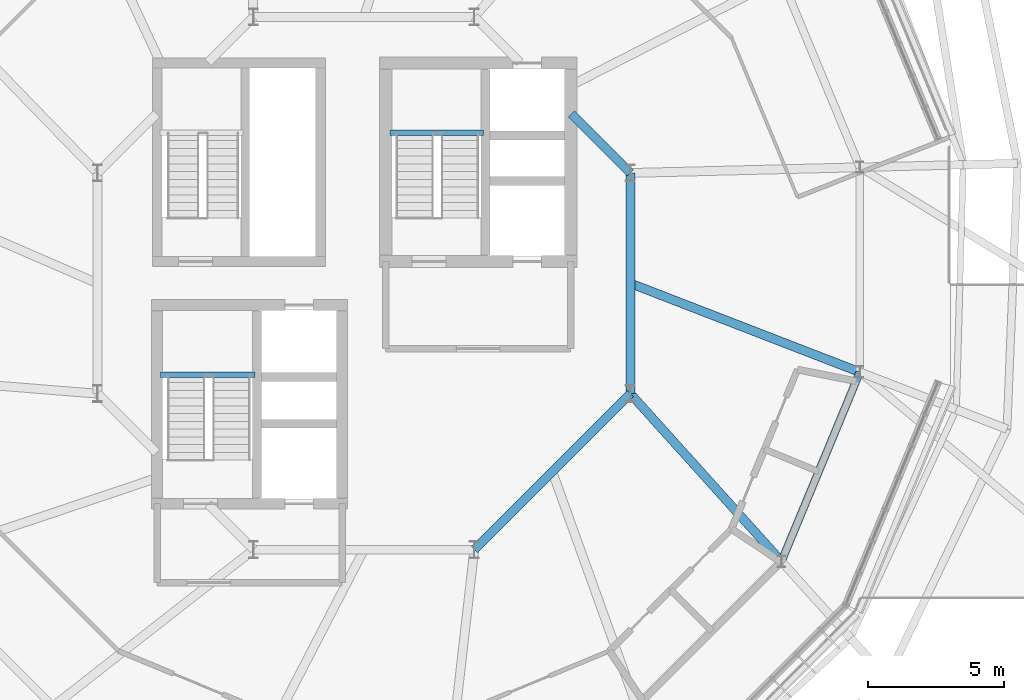
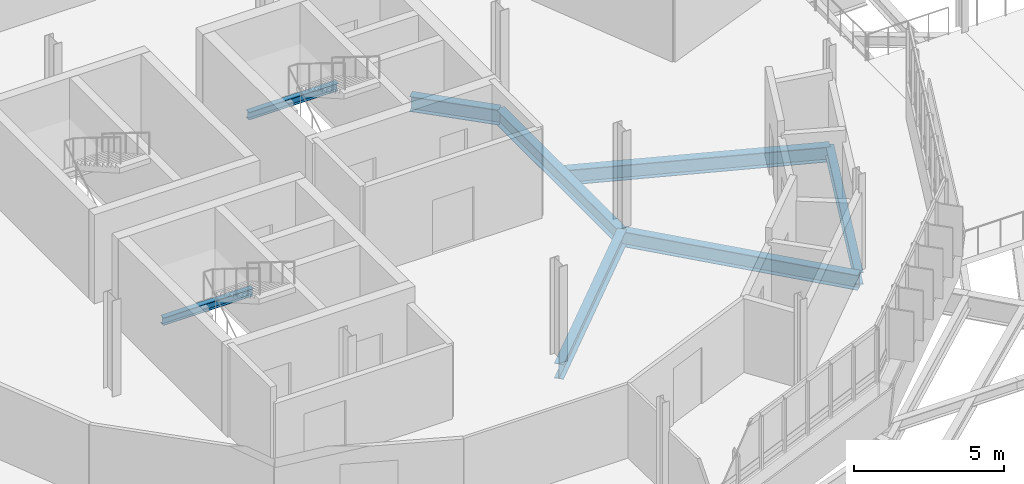
# One storey, part 20 of 61: 8 beams.
"""IFC4 building model written with IfcOpenShell, lengths in metres."""

import ifcopenshell
import ifcopenshell.guid

model = None  # the IFC model being written
_history = None  # IfcOwnerHistory: only IFC2X3 demands one
_inside = {}  # id of a spatial element -> (the spatial element, [elements in it])
_under = {}  # id of a project, library or spatial element -> (it, [spatial elements below it])
_declared = {}  # id of a project -> (the project, [libraries it declares])
_typed = {}  # id of a type object -> (the type object, [elements of that type])
_made_of = {}  # id of a material, layer set ... -> (it, [elements and type objects made of it])


def new_model(schema):
    """Start an empty IFC model of exactly this schema.

    Asked for "IFC4X3", IfcOpenShell would pick the latest addendum, in which some entities
    have other attributes; the version numbers below select the first issue.
    IFC2X3 requires an IfcOwnerHistory on every rooted entity: one is made here for all.
    """
    global model, _history
    if schema == "IFC4X3":
        model = ifcopenshell.file(schema_version=(4, 3, 0, 0))
    else:
        model = ifcopenshell.file(schema=schema)
    _inside.clear()
    _under.clear()
    _declared.clear()
    _typed.clear()
    _made_of.clear()
    _history = None
    if model.schema == "IFC2X3":
        org = make("IfcOrganization", Name="unknown")
        user = make(
            "IfcPersonAndOrganization",
            ThePerson=make("IfcPerson", FamilyName="unknown"),
            TheOrganization=org,
        )
        app = make(
            "IfcApplication",
            ApplicationDeveloper=org,
            Version="unknown",
            ApplicationFullName="unknown",
            ApplicationIdentifier="unknown",
        )
        _history = make(
            "IfcOwnerHistory",
            OwningUser=user,
            OwningApplication=app,
            ChangeAction="ADDED",
            CreationDate=0,
        )
    return model


def make(cls, **values):
    """One entity of the class cls with the attributes given. An attribute that is None is left unset."""
    return model.create_entity(
        cls, **{name: value for name, value in values.items() if value is not None}
    )


def rooted(cls, **values):
    """An entity with a GlobalId (a new one), such as an element, a storey or a relation."""
    return make(cls, GlobalId=ifcopenshell.guid.new(), OwnerHistory=_history, **values)


def si_unit(unit_type, name, prefix=None):
    """IfcSIUnit, for example si_unit("LENGTHUNIT", "METRE", prefix="MILLI")."""
    return make("IfcSIUnit", UnitType=unit_type, Prefix=prefix, Name=name)


def derived_unit(unit_type, elements):
    """IfcDerivedUnit: a product of units, each with its exponent."""
    return make(
        "IfcDerivedUnit",
        Elements=[
            make("IfcDerivedUnitElement", Unit=unit, Exponent=power)
            for unit, power in elements
        ],
        UnitType=unit_type,
    )


def assignment(units):
    """IfcUnitAssignment: the units of a project."""
    return None if units is None else make("IfcUnitAssignment", Units=units)


def point(xyz):
    """IfcCartesianPoint."""
    return None if xyz is None else make("IfcCartesianPoint", Coordinates=xyz)


def direction(xyz):
    """IfcDirection."""
    return None if xyz is None else make("IfcDirection", DirectionRatios=xyz)


def frame(location, z_axis=None, x_axis=None):
    """IfcAxis2Placement3D, a coordinate frame: its origin and axes. An axis left out is left unset."""
    return make(
        "IfcAxis2Placement3D",
        Location=point(location),
        Axis=direction(z_axis),
        RefDirection=direction(x_axis),
    )


def frame_2d(location, x_axis=None):
    """IfcAxis2Placement2D, a coordinate frame in the plane: its origin and x axis."""
    return make(
        "IfcAxis2Placement2D", Location=point(location), RefDirection=direction(x_axis)
    )


def origin():
    """The frame at (0, 0, 0) with its axes left unset."""
    return frame((0.0, 0.0, 0.0))


def origin_2d():
    """The frame at (0, 0) in the plane with its x axis left unset."""
    return frame_2d((0.0, 0.0))


def place(relative_to, where):
    """IfcLocalPlacement: puts the frame where relative to a parent placement (None: the world)."""
    return make(
        "IfcLocalPlacement", PlacementRelTo=relative_to, RelativePlacement=where
    )


def context(
    kind, dimensions, precision=None, world=None, true_north=None, identifier=None
):
    """IfcGeometricRepresentationContext, for example the 3D "Model" context."""
    return make(
        "IfcGeometricRepresentationContext",
        ContextIdentifier=identifier,
        ContextType=kind,
        CoordinateSpaceDimension=dimensions,
        Precision=precision,
        WorldCoordinateSystem=world,
        TrueNorth=true_north,
    )


def subcontext(parent, identifier, kind, view, scale=None):
    """IfcGeometricRepresentationSubContext, for example "Body" below "Model"."""
    return make(
        "IfcGeometricRepresentationSubContext",
        ContextIdentifier=identifier,
        ContextType=kind,
        ParentContext=parent,
        TargetScale=scale,
        TargetView=view,
    )


def project(units=None, contexts=None):
    """IfcProject with its units and contexts."""
    return rooted(
        "IfcProject",
        Name="project",
        RepresentationContexts=contexts,
        UnitsInContext=assignment(units),
    )


def spatial(cls, under=None, at=None, **own):
    """A site, building, storey or space (cls), placed at a placement, below another one or the project."""
    s = rooted(cls, ObjectPlacement=at, **own)
    if under is not None:
        _under.setdefault(under.id(), (under, []))[1].append(s)
    return s


def profile(cls, at=None, kind="AREA", **sizes):
    """A parametric profile (cls). Its sizes go by their IFC names, for example OverallWidth=200.0."""
    return make(cls, ProfileType=kind, Position=at, **sizes)


def i_section(**sizes):
    """IfcIShapeProfileDef."""
    return profile("IfcIShapeProfileDef", **sizes)


def extrude(swept, where, along, depth):
    """IfcExtrudedAreaSolid: the profile swept, set in the frame where, extruded along a direction by depth."""
    return make(
        "IfcExtrudedAreaSolid",
        SweptArea=swept,
        Position=where,
        ExtrudedDirection=direction(along),
        Depth=depth,
    )


def shape(context_of_items, identifier, shape_type, items):
    """IfcShapeRepresentation: the items that make up one representation, for example the "Body"."""
    return make(
        "IfcShapeRepresentation",
        ContextOfItems=context_of_items,
        RepresentationIdentifier=identifier,
        RepresentationType=shape_type,
        Items=items,
    )


def material(Name=None, Category=None):
    """IfcMaterial."""
    return make("IfcMaterial", Name=Name, Category=Category)


def material_profile(
    of_material, cross_section, Name=None, Category=None, Priority=None
):
    """IfcMaterialProfile: a cross section and its material."""
    return make(
        "IfcMaterialProfile",
        Name=Name,
        Material=of_material,
        Profile=cross_section,
        Priority=Priority,
        Category=Category,
    )


def profile_set(profiles, Name=None, composite=None):
    """IfcMaterialProfileSet."""
    return make(
        "IfcMaterialProfileSet",
        Name=Name,
        MaterialProfiles=profiles,
        CompositeProfile=composite,
    )


def made_of(thing, what):
    """Note that an element or type object is made of a material, layer set ...; save() writes the relation."""
    if what is not None:
        _made_of.setdefault(what.id(), (what, []))[1].append(thing)
    return thing


def type_object(cls, material=None, **own):
    """A type object (cls), such as IfcWallType, which elements share."""
    return made_of(rooted(cls, **own), material)


def element(
    cls,
    number,
    at=None,
    inside=None,
    cuts=None,
    type_object=None,
    material=None,
    context=None,
    identifier="Body",
    shape_type=None,
    held_by="IfcProductDefinitionShape",
    body=None,
    shapes=None,
    **own,
):
    """One element of the class cls, such as IfcWall. Its Tag is "e" and its number.

    at: its placement. inside: the storey or other place that contains it. cuts: it is an
    opening in that element (IfcRelVoidsElement). A single representation is given by context,
    identifier, shape_type and body (its items); several are given by shapes. held_by: the class
    of the entity that holds the representations. save() writes the other relations.
    """
    e = rooted(cls, Tag="e%d" % number, ObjectPlacement=at, **own)
    if body is not None:
        shapes = [shape(context, identifier, shape_type, body)]
    if shapes is not None:
        e.Representation = make(held_by, Representations=shapes)
    if inside is not None:
        _inside.setdefault(inside.id(), (inside, []))[1].append(e)
    if cuts is not None:
        rooted(
            "IfcRelVoidsElement", RelatingBuildingElement=cuts, RelatedOpeningElement=e
        )
    if type_object is not None:
        _typed.setdefault(type_object.id(), (type_object, []))[1].append(e)
    return made_of(e, material)


def aggregate(whole, parts):
    """IfcRelAggregates: a whole, such as a stair, and the parts it consists of."""
    return rooted("IfcRelAggregates", RelatingObject=whole, RelatedObjects=parts)


def save(model, path):
    """Write the relations noted so far, then the file.

    IfcRelAggregates (storeys below a building ...), IfcRelContainedInSpatialStructure (elements
    in a storey), IfcRelDefinesByType, IfcRelAssociatesMaterial and IfcRelDeclares: one each for
    every whole, place, type object, material and project.
    """
    for whole, parts in _under.values():
        aggregate(whole, parts)
    for where, things in _inside.values():
        rooted(
            "IfcRelContainedInSpatialStructure",
            RelatedElements=things,
            RelatingStructure=where,
        )
    for kind, things in _typed.values():
        rooted("IfcRelDefinesByType", RelatedObjects=things, RelatingType=kind)
    for what, things in _made_of.values():
        rooted("IfcRelAssociatesMaterial", RelatedObjects=things, RelatingMaterial=what)
    for by, libraries in _declared.values():
        rooted("IfcRelDeclares", RelatingContext=by, RelatedDefinitions=libraries)
    model.write(path)


model = new_model("IFC4")

# Units and contexts
model_context = context("Model", 3, precision=1e-05, world=origin(), true_north=direction((0.0, 1.0)))
body_context = subcontext(model_context, "Body", "Model", "MODEL_VIEW")
ifc_project = project(units=[si_unit("LENGTHUNIT", "METRE"), si_unit("AREAUNIT", "SQUARE_METRE"), si_unit("VOLUMEUNIT", "CUBIC_METRE"), si_unit("PLANEANGLEUNIT", "RADIAN"), si_unit("MASSUNIT", "GRAM", prefix="KILO"), derived_unit("THERMALTRANSMITTANCEUNIT", [(si_unit("MASSUNIT", "GRAM", prefix="KILO"), 1), (si_unit("TIMEUNIT", "SECOND"), -3), (si_unit("THERMODYNAMICTEMPERATUREUNIT", "KELVIN"), -1)])], contexts=[model_context])

# Site, building, storey
site_placement = place(None, origin())
site = spatial("IfcSite", under=ifc_project, at=site_placement, CompositionType="ELEMENT")
building_placement = place(site_placement, origin())
building = spatial("IfcBuilding", under=site, at=building_placement, Name="Makaiwela Harbour Ferry Terminal", CompositionType="ELEMENT")
storey_placement = place(building_placement, frame((0.0, 0.0, 13.800048828125)))
storey = spatial("IfcBuildingStorey", under=building, at=storey_placement, Name="L03", CompositionType="ELEMENT", Elevation=13.800048828125)

# Beams
ifc_material = material(Name="Steel ASTM A992 Grade 50", Category="steel")
ifc_material_profile_1 = material_profile(ifc_material, i_section(OverallWidth=0.324951171875, OverallDepth=0.615966796875, WebThickness=0.013916015625, FlangeThickness=0.021484375, at=origin_2d()), Name="W24X117")
ifc_profile_set_1 = profile_set([ifc_material_profile_1], Name="Steel ASTM A992 Grade 50")
beam_type_1 = type_object("IfcBeamType", Name="STR-GRD-W24X117", PredefinedType="USERDEFINED", material=ifc_profile_set_1)
beam_1_placement = place(storey_placement, frame((47.593017578125, 71.656494140625, -0.56298828125), z_axis=(-0.707106781187, 0.707106781187, 0.0), x_axis=(-0.707106781187, -0.707106781187, 0.0)))
element("IfcBeam", 1, at=beam_1_placement, inside=storey, type_object=beam_type_1, Name="Drum inner ring girder 244", ObjectType="GIRDER", PredefinedType="USERDEFINED", context=body_context, shape_type="SweptSolid", body=[
    extrude(i_section(OverallWidth=0.324951171875, OverallDepth=0.615966796875, WebThickness=0.013916015625, FlangeThickness=0.021484375, at=origin_2d()), origin(), (0.0, 0.0, 1.0), 3.0732421875),
])
for number, where, z_axis, x_axis, name in (
    (2, (41.8564453125, 57.806884765625, -0.56298828125), (0.707091734601, 0.707121827452, 0.0), (-0.707121827452, 0.707091734601, 0.0), "Drum inner ring girder 253"),
    (3, (47.593017578125, 63.543701171875, -0.56298828125), (0.0, 1.0, 0.0), (-1.0, 0.0, 0.0), "Drum inner ring girder 254"),
):
    element("IfcBeam", number, at=place(storey_placement, frame(where, z_axis=z_axis, x_axis=x_axis)), inside=storey, type_object=beam_type_1, Name=name, ObjectType="GIRDER", PredefinedType="USERDEFINED", context=body_context, shape_type="SweptSolid", body=[
        extrude(i_section(OverallWidth=0.324951171875, OverallDepth=0.615966796875, WebThickness=0.013916015625, FlangeThickness=0.021484375, at=origin_2d()), origin(), (0.0, 0.0, 1.0), 8.11279296875),
    ])
beam_2_placement = place(storey_placement, frame((47.593017578125, 63.543701171875, -0.56298828125), z_axis=(0.669284852474, -0.743005912661, 0.0), x_axis=(0.743005912661, 0.669284852474, 0.0)))
element("IfcBeam", 4, at=beam_2_placement, inside=storey, type_object=beam_type_1, Name="Drum radial girder 322", ObjectType="GIRDER", PredefinedType="USERDEFINED", context=body_context, shape_type="SweptSolid", body=[
    extrude(i_section(OverallWidth=0.324951171875, OverallDepth=0.615966796875, WebThickness=0.013916015625, FlangeThickness=0.021484375, at=origin_2d()), origin(), (0.0, 0.0, 1.0), 8.299072265625),
])
beam_3_placement = place(storey_placement, frame((47.593017578125, 67.60009765625, -0.56298828125), z_axis=(0.932578355868, -0.360967602655, 0.0), x_axis=(0.360967602655, 0.932578355868, 0.0)))
element("IfcBeam", 5, at=beam_3_placement, inside=storey, type_object=beam_type_1, Name="Drum radial girder 325", ObjectType="GIRDER", PredefinedType="USERDEFINED", context=body_context, shape_type="SweptSolid", body=[
    extrude(i_section(OverallWidth=0.324951171875, OverallDepth=0.615966796875, WebThickness=0.013916015625, FlangeThickness=0.021484375, at=origin_2d()), origin(), (0.0, 0.0, 1.0), 9.046142578125),
])
ifc_material_profile_2 = material_profile(ifc_material, i_section(OverallWidth=0.205078125, OverallDepth=0.31005859375, WebThickness=0.009521484375, FlangeThickness=0.016357421875, at=origin_2d()), Name="W12X50")
ifc_profile_set_2 = profile_set([ifc_material_profile_2], Name="Steel ASTM A992 Grade 50")
beam_type_2 = type_object("IfcBeamType", Name="STR-LNT-W12X50", PredefinedType="LINTEL", material=ifc_profile_set_2)
beam_4_placement = place(storey_placement, frame((38.75, 73.135009765625, 1.64501953125), z_axis=(1.0, 0.0, 0.0), x_axis=(0.0, 1.0, 0.0)))
element("IfcBeam", 6, at=beam_4_placement, inside=storey, type_object=beam_type_2, Name="Stair Landing Beam ST-01-L03", PredefinedType="LINTEL", context=body_context, shape_type="SweptSolid", body=[
    extrude(i_section(OverallWidth=0.205078125, OverallDepth=0.31005859375, WebThickness=0.009521484375, FlangeThickness=0.016357421875, at=origin_2d()), origin(), (0.0, 0.0, 1.0), 3.43701171875),
])
beam_5_placement = place(storey_placement, frame((30.324951171875, 64.235107421875, 1.64501953125), z_axis=(1.0, 0.0, 0.0), x_axis=(0.0, 1.0, 0.0)))
element("IfcBeam", 7, at=beam_5_placement, inside=storey, type_object=beam_type_2, Name="Stair Landing Beam ST-02-L03", PredefinedType="LINTEL", context=body_context, shape_type="SweptSolid", body=[
    extrude(i_section(OverallWidth=0.205078125, OverallDepth=0.31005859375, WebThickness=0.009521484375, FlangeThickness=0.016357421875, at=origin_2d()), origin(), (0.0, 0.0, 1.0), 3.462158203125),
])
ifc_material_profile_3 = material_profile(ifc_material, i_section(OverallWidth=0.283935546875, OverallDepth=0.47607421875, WebThickness=0.014892578125, FlangeThickness=0.02392578125, at=origin_2d()), Name="W18X106")
ifc_profile_set_3 = profile_set([ifc_material_profile_3], Name="Steel ASTM A992 Grade 50")
beam_type_3 = type_object("IfcBeamType", Name="STR-SPN-W18X106", PredefinedType="SPANDREL", material=ifc_profile_set_3)
beam_6_placement = place(storey_placement, frame((53.1474609375, 57.37744140625, -0.4931640625), z_axis=(0.382687752376, 0.923877743092, 0.0), x_axis=(-0.923877743092, 0.382687752376, 0.0)))
element("IfcBeam", 8, at=beam_6_placement, inside=storey, type_object=beam_type_3, Name="Drum column ring girder 269", PredefinedType="SPANDREL", context=body_context, shape_type="SweptSolid", body=[
    extrude(i_section(OverallWidth=0.283935546875, OverallDepth=0.47607421875, WebThickness=0.014892578125, FlangeThickness=0.02392578125, at=origin_2d()), origin(), (0.0, 0.0, 1.0), 7.530517578125),
])

save(model, "model.ifc")
